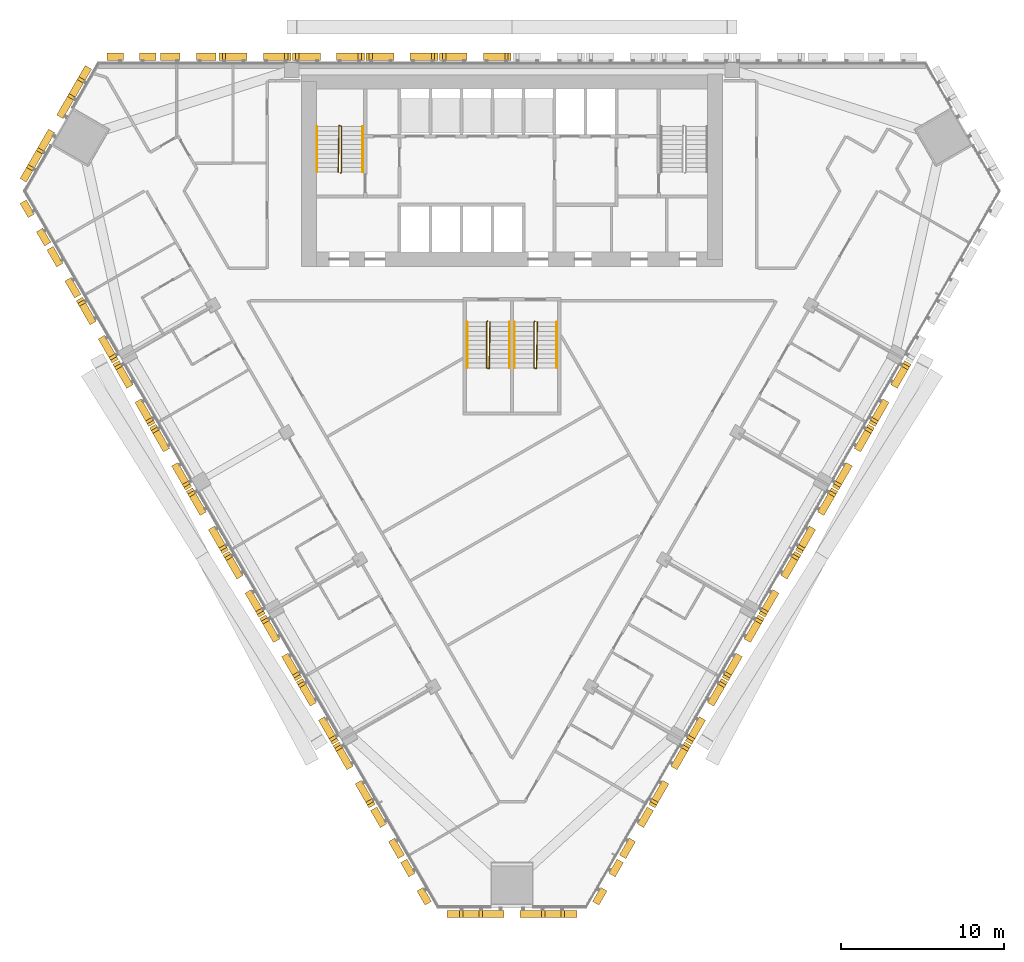
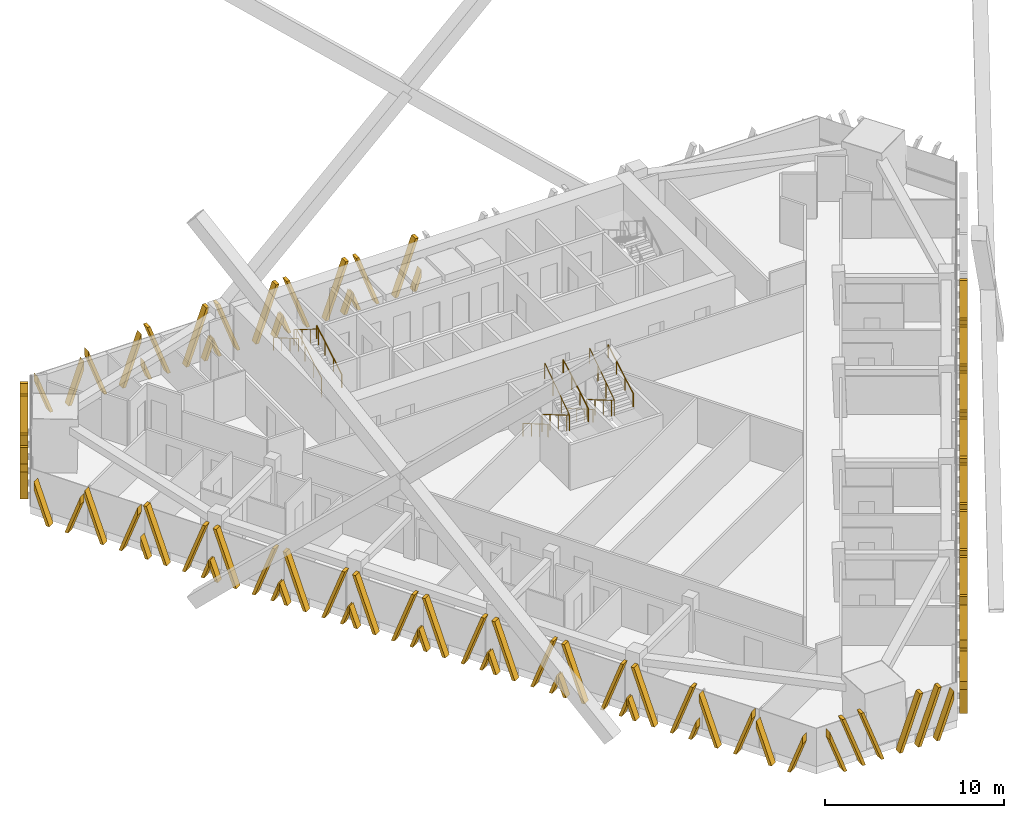
# One storey, part 17 of 19: 29 shading devices, 9 railings.
"""IFC4 building model written with IfcOpenShell, lengths in metres."""

from ifc_helpers import new_model, si_unit, direction, frame, origin, origin_2d, place, context, subcontext, project, spatial, polyline, circle, outline, extrude, source, transform, mapped, material, type_object, element, save


model = new_model("IFC4")

# Units and contexts
model_context = context("Model", 3, precision=1e-05, world=origin(), true_north=direction((0.0, 1.0)))
body_context = subcontext(model_context, "Body", "Model", "MODEL_VIEW")
ifc_project = project(units=[si_unit("LENGTHUNIT", "METRE"), si_unit("AREAUNIT", "SQUARE_METRE"), si_unit("VOLUMEUNIT", "CUBIC_METRE"), si_unit("PLANEANGLEUNIT", "RADIAN"), si_unit("MASSUNIT", "GRAM", prefix="KILO")], contexts=[model_context])

# Site, building, storey
site_placement = place(None, origin())
site = spatial("IfcSite", under=ifc_project, at=site_placement, CompositionType="ELEMENT")
building_placement = place(site_placement, origin())
building = spatial("IfcBuilding", under=site, at=building_placement, Name="Altiplano Prism Tower", CompositionType="ELEMENT")
storey_placement = place(building_placement, frame((0.0, 0.0, 70.199951171875)))
storey = spatial("IfcBuildingStorey", under=building, at=storey_placement, Name="L17", CompositionType="ELEMENT", Elevation=70.199951171875)

# Railings
ifc_material_1 = material(Name="Steel S355", Category="steel")
railing_type_1 = type_object("IfcRailingType", Name="Stair guard 1100", PredefinedType="GUARDRAIL", material=ifc_material_1)
railing_1_placement = place(storey_placement, frame((74.5, 98.25, 0.0)))
element("IfcRailing", 1, at=railing_1_placement, inside=storey, type_object=railing_type_1, Name="L17 ST1 stair guard 1", PredefinedType="GUARDRAIL", context=body_context, shape_type="SweptSolid", body=[
    extrude(circle(Radius=0.02392578125, at=origin_2d()), frame((0.0, 0.0, 1.076171875), z_axis=(0.280808744504, 0.280808744504, 0.917765164963), x_axis=(-0.707106781187, 0.707106781187, 0.0)), (0.0, 0.0, 1.0), 0.17822265625),
    extrude(circle(Radius=0.02392578125, at=origin_2d()), frame((0.050048828125, 0.050048828125, 1.23974609375), z_axis=(0.0, 0.863360870873, 0.504586966384), x_axis=(-1.0, 0.0, 0.0)), (0.0, 0.0, 1.0), 3.2431640625),
    extrude(circle(Radius=0.02392578125, at=origin_2d()), frame((0.050048828125, 2.85009765625, 2.8759765625), z_axis=(-0.949145278916, 0.314838433982, 0.0), x_axis=(-0.314838433982, -0.949145278916, 0.0)), (0.0, 0.0, 1.0), 0.158203125),
    extrude(circle(Radius=0.02392578125, at=origin_2d()), frame((-0.10009765625, 2.89990234375, 2.8759765625), z_axis=(-0.01477401265, -0.845377694409, 0.533964682676), x_axis=(0.999847325713, -0.01747355902, 0.0)), (0.0, 0.0, 1.0), 3.37109375),
    extrude(circle(Radius=0.02099609375, at=origin_2d()), origin(), (0.0, 0.0, 1.0), 1.052001953125),
    extrude(circle(Radius=0.02099609375, at=origin_2d()), frame((0.050048828125, 0.050048828125, 0.16357421875)), (0.0, 0.0, 1.0), 1.052001953125),
    extrude(circle(Radius=0.02099609375, at=origin_2d()), frame((0.050048828125, 0.9833984375, 0.708984375)), (0.0, 0.0, 1.0), 1.052001953125),
    extrude(circle(Radius=0.02099609375, at=origin_2d()), frame((0.050048828125, 1.916748046875, 1.254638671875)), (0.0, 0.0, 1.0), 1.052001953125),
    extrude(circle(Radius=0.02099609375, at=origin_2d()), frame((0.050048828125, 2.85009765625, 1.800048828125)), (0.0, 0.0, 1.0), 1.052001953125),
    extrude(circle(Radius=0.02099609375, at=origin_2d()), frame((-0.10009765625, 2.89990234375, 1.800048828125)), (0.0, 0.0, 1.0), 1.052001953125),
    extrude(circle(Radius=0.02099609375, at=origin_2d()), frame((-0.11669921875, 1.949951171875, 2.400146484375)), (0.0, 0.0, 1.0), 1.052001953125),
    extrude(circle(Radius=0.02099609375, at=origin_2d()), frame((-0.13330078125, 1.0, 3.0)), (0.0, 0.0, 1.0), 1.052001953125),
    extrude(circle(Radius=0.02099609375, at=origin_2d()), frame((-0.14990234375, 0.050048828125, 3.60009765625)), (0.0, 0.0, 1.0), 1.052001953125),
])
railing_2_placement = place(storey_placement, frame((83.5, 89.14990234375, 0.0)))
element("IfcRailing", 2, at=railing_2_placement, inside=storey, type_object=railing_type_1, Name="L17 ST3A stair guard 1", PredefinedType="GUARDRAIL", context=body_context, shape_type="SweptSolid", body=[
    extrude(circle(Radius=0.02392578125, at=origin_2d()), frame((0.0, 0.0, 1.076171875), z_axis=(-0.280916556609, -0.279546231943, 0.91811752648), x_axis=(0.705375805398, -0.708833529934, 0.0)), (0.0, 0.0, 1.0), 0.17822265625),
    extrude(circle(Radius=0.02392578125, at=origin_2d()), frame((-0.050048828125, -0.0498046875, 1.23974609375), z_axis=(0.0, -0.863360870873, 0.504586966384), x_axis=(1.0, 0.0, 0.0)), (0.0, 0.0, 1.0), 3.2431640625),
    extrude(circle(Radius=0.02392578125, at=origin_2d()), frame((-0.050048828125, -2.849853515625, 2.8759765625), z_axis=(0.948683298051, -0.316227766017, 0.0), x_axis=(0.316227766017, 0.948683298051, 0.0)), (0.0, 0.0, 1.0), 0.158203125),
    extrude(circle(Radius=0.02392578125, at=origin_2d()), frame((0.10009765625, -2.89990234375, 2.8759765625), z_axis=(0.014773108175, 0.84539835705, 0.533931993021), x_axis=(-0.999847351862, 0.017472062685, 0.0)), (0.0, 0.0, 1.0), 3.371337890625),
    extrude(circle(Radius=0.02099609375, at=origin_2d()), origin(), (0.0, 0.0, 1.0), 1.052001953125),
    extrude(circle(Radius=0.02099609375, at=origin_2d()), frame((-0.050048828125, -0.0498046875, 0.16357421875)), (0.0, 0.0, 1.0), 1.052001953125),
    extrude(circle(Radius=0.02099609375, at=origin_2d()), frame((-0.050048828125, -0.983154296875, 0.708984375)), (0.0, 0.0, 1.0), 1.052001953125),
    extrude(circle(Radius=0.02099609375, at=origin_2d()), frame((-0.050048828125, -1.91650390625, 1.254638671875)), (0.0, 0.0, 1.0), 1.052001953125),
    extrude(circle(Radius=0.02099609375, at=origin_2d()), frame((-0.050048828125, -2.849853515625, 1.800048828125)), (0.0, 0.0, 1.0), 1.052001953125),
    extrude(circle(Radius=0.02099609375, at=origin_2d()), frame((0.10009765625, -2.89990234375, 1.800048828125)), (0.0, 0.0, 1.0), 1.052001953125),
    extrude(circle(Radius=0.02099609375, at=origin_2d()), frame((0.11669921875, -1.949951171875, 2.400146484375)), (0.0, 0.0, 1.0), 1.052001953125),
    extrude(circle(Radius=0.02099609375, at=origin_2d()), frame((0.13330078125, -0.999755859375, 3.0)), (0.0, 0.0, 1.0), 1.052001953125),
    extrude(circle(Radius=0.02099609375, at=origin_2d()), frame((0.14990234375, -0.0498046875, 3.60009765625)), (0.0, 0.0, 1.0), 1.052001953125),
])
railing_3_placement = place(storey_placement, frame((86.39990234375, 89.14990234375, 0.0)))
element("IfcRailing", 3, at=railing_3_placement, inside=storey, type_object=railing_type_1, Name="L17 ST3B stair guard 1", PredefinedType="GUARDRAIL", context=body_context, shape_type="SweptSolid", body=[
    extrude(circle(Radius=0.02392578125, at=origin_2d()), frame((0.0, 0.0, 1.076171875), z_axis=(-0.279653641804, -0.279653641804, 0.918470294159), x_axis=(0.707106781187, -0.707106781187, 0.0)), (0.0, 0.0, 1.0), 0.177978515625),
    extrude(circle(Radius=0.02392578125, at=origin_2d()), frame((-0.0498046875, -0.0498046875, 1.23974609375), z_axis=(0.0, -0.863360870873, 0.504586966384), x_axis=(1.0, 0.0, 0.0)), (0.0, 0.0, 1.0), 3.2431640625),
    extrude(circle(Radius=0.02392578125, at=origin_2d()), frame((-0.0498046875, -2.849853515625, 2.8759765625), z_axis=(0.948528701346, -0.316691178788, 0.0), x_axis=(0.316691178788, 0.948528701346, 0.0)), (0.0, 0.0, 1.0), 0.157958984375),
    extrude(circle(Radius=0.02392578125, at=origin_2d()), frame((0.10009765625, -2.89990234375, 2.8759765625), z_axis=(0.014845509451, 0.845397450405, 0.533931420407), x_axis=(-0.999845851991, 0.017557683712, 0.0)), (0.0, 0.0, 1.0), 3.371337890625),
    extrude(circle(Radius=0.02099609375, at=origin_2d()), origin(), (0.0, 0.0, 1.0), 1.052001953125),
    extrude(circle(Radius=0.02099609375, at=origin_2d()), frame((-0.0498046875, -0.0498046875, 0.16357421875)), (0.0, 0.0, 1.0), 1.052001953125),
    extrude(circle(Radius=0.02099609375, at=origin_2d()), frame((-0.0498046875, -0.983154296875, 0.708984375)), (0.0, 0.0, 1.0), 1.052001953125),
    extrude(circle(Radius=0.02099609375, at=origin_2d()), frame((-0.0498046875, -1.91650390625, 1.254638671875)), (0.0, 0.0, 1.0), 1.052001953125),
    extrude(circle(Radius=0.02099609375, at=origin_2d()), frame((-0.0498046875, -2.849853515625, 1.800048828125)), (0.0, 0.0, 1.0), 1.052001953125),
    extrude(circle(Radius=0.02099609375, at=origin_2d()), frame((0.10009765625, -2.89990234375, 1.800048828125)), (0.0, 0.0, 1.0), 1.052001953125),
    extrude(circle(Radius=0.02099609375, at=origin_2d()), frame((0.11669921875, -1.949951171875, 2.400146484375)), (0.0, 0.0, 1.0), 1.052001953125),
    extrude(circle(Radius=0.02099609375, at=origin_2d()), frame((0.133544921875, -0.999755859375, 3.0)), (0.0, 0.0, 1.0), 1.052001953125),
    extrude(circle(Radius=0.02099609375, at=origin_2d()), frame((0.150146484375, -0.0498046875, 3.60009765625)), (0.0, 0.0, 1.0), 1.052001953125),
])
railing_type_2 = type_object("IfcRailingType", Name="Stair handrail 900", PredefinedType="HANDRAIL", material=ifc_material_1)
railing_4_placement = place(storey_placement, frame((75.85009765625, 98.300048828125, 0.16357421875)))
element("IfcRailing", 4, at=railing_4_placement, inside=storey, type_object=railing_type_2, Name="L17 ST1 stair handrail 1", PredefinedType="HANDRAIL", context=body_context, shape_type="SweptSolid", body=[
    extrude(circle(Radius=0.02392578125, at=origin_2d()), frame((0.0, 0.0, 0.8759765625), z_axis=(0.0, 0.863360870873, 0.504586966384), x_axis=(-1.0, 0.0, 0.0)), (0.0, 0.0, 1.0), 3.2431640625),
    extrude(circle(Radius=0.02099609375, at=origin_2d()), origin(), (0.0, 0.0, 1.0), 0.851806640625),
    extrude(circle(Radius=0.02099609375, at=origin_2d()), frame((0.0, 0.933349609375, 0.54541015625)), (0.0, 0.0, 1.0), 0.851806640625),
    extrude(circle(Radius=0.02099609375, at=origin_2d()), frame((0.0, 1.86669921875, 1.091064453125)), (0.0, 0.0, 1.0), 0.851806640625),
    extrude(circle(Radius=0.02099609375, at=origin_2d()), frame((0.0, 2.800048828125, 1.636474609375)), (0.0, 0.0, 1.0), 0.851806640625),
])
for number, where, name in (
    (5, (73.050048828125, 101.10009765625, 1.963623046875), "L17 ST1 stair handrail 2"),
    (6, (82.25, 89.10009765625, 0.16357421875), "L17 ST3A stair handrail 1"),
):
    element("IfcRailing", number, at=place(storey_placement, frame(where)), inside=storey, type_object=railing_type_2, Name=name, PredefinedType="HANDRAIL", context=body_context, shape_type="SweptSolid", body=[
        extrude(circle(Radius=0.02392578125, at=origin_2d()), frame((0.0, 0.0, 0.8759765625), z_axis=(0.0, -0.863360870873, 0.504586966384), x_axis=(1.0, 0.0, 0.0)), (0.0, 0.0, 1.0), 3.2431640625),
        extrude(circle(Radius=0.02099609375, at=origin_2d()), origin(), (0.0, 0.0, 1.0), 0.851806640625),
        extrude(circle(Radius=0.02099609375, at=origin_2d()), frame((0.0, -0.933349609375, 0.54541015625)), (0.0, 0.0, 1.0), 0.851806640625),
        extrude(circle(Radius=0.02099609375, at=origin_2d()), frame((0.0, -1.86669921875, 1.091064453125)), (0.0, 0.0, 1.0), 0.851806640625),
        extrude(circle(Radius=0.02099609375, at=origin_2d()), frame((0.0, -2.800048828125, 1.636474609375)), (0.0, 0.0, 1.0), 0.851806640625),
    ])
railing_5_placement = place(storey_placement, frame((84.85009765625, 86.300048828125, 1.963623046875)))
element("IfcRailing", 7, at=railing_5_placement, inside=storey, type_object=railing_type_2, Name="L17 ST3A stair handrail 2", PredefinedType="HANDRAIL", context=body_context, shape_type="SweptSolid", body=[
    extrude(circle(Radius=0.02392578125, at=origin_2d()), frame((0.0, 0.0, 0.8759765625), z_axis=(0.0, 0.863360870873, 0.504586966384), x_axis=(-1.0, 0.0, 0.0)), (0.0, 0.0, 1.0), 3.2431640625),
    extrude(circle(Radius=0.02099609375, at=origin_2d()), origin(), (0.0, 0.0, 1.0), 0.851806640625),
    extrude(circle(Radius=0.02099609375, at=origin_2d()), frame((0.0, 0.933349609375, 0.54541015625)), (0.0, 0.0, 1.0), 0.851806640625),
    extrude(circle(Radius=0.02099609375, at=origin_2d()), frame((0.0, 1.86669921875, 1.091064453125)), (0.0, 0.0, 1.0), 0.851806640625),
    extrude(circle(Radius=0.02099609375, at=origin_2d()), frame((0.0, 2.800048828125, 1.636474609375)), (0.0, 0.0, 1.0), 0.851806640625),
])
railing_6_placement = place(storey_placement, frame((85.14990234375, 89.10009765625, 0.16357421875)))
element("IfcRailing", 8, at=railing_6_placement, inside=storey, type_object=railing_type_2, Name="L17 ST3B stair handrail 1", PredefinedType="HANDRAIL", context=body_context, shape_type="SweptSolid", body=[
    extrude(circle(Radius=0.02392578125, at=origin_2d()), frame((0.0, 0.0, 0.8759765625), z_axis=(0.0, -0.863360870873, 0.504586966384), x_axis=(1.0, 0.0, 0.0)), (0.0, 0.0, 1.0), 3.2431640625),
    extrude(circle(Radius=0.02099609375, at=origin_2d()), origin(), (0.0, 0.0, 1.0), 0.851806640625),
    extrude(circle(Radius=0.02099609375, at=origin_2d()), frame((0.0, -0.933349609375, 0.54541015625)), (0.0, 0.0, 1.0), 0.851806640625),
    extrude(circle(Radius=0.02099609375, at=origin_2d()), frame((0.0, -1.86669921875, 1.091064453125)), (0.0, 0.0, 1.0), 0.851806640625),
    extrude(circle(Radius=0.02099609375, at=origin_2d()), frame((0.0, -2.800048828125, 1.636474609375)), (0.0, 0.0, 1.0), 0.851806640625),
])
railing_7_placement = place(storey_placement, frame((87.75, 86.300048828125, 1.963623046875)))
element("IfcRailing", 9, at=railing_7_placement, inside=storey, type_object=railing_type_2, Name="L17 ST3B stair handrail 2", PredefinedType="HANDRAIL", context=body_context, shape_type="SweptSolid", body=[
    extrude(circle(Radius=0.02392578125, at=origin_2d()), frame((0.0, 0.0, 0.8759765625), z_axis=(0.0, 0.863360870873, 0.504586966384), x_axis=(-1.0, 0.0, 0.0)), (0.0, 0.0, 1.0), 3.2431640625),
    extrude(circle(Radius=0.02099609375, at=origin_2d()), origin(), (0.0, 0.0, 1.0), 0.851806640625),
    extrude(circle(Radius=0.02099609375, at=origin_2d()), frame((0.0, 0.933349609375, 0.54541015625)), (0.0, 0.0, 1.0), 0.851806640625),
    extrude(circle(Radius=0.02099609375, at=origin_2d()), frame((0.0, 1.86669921875, 1.091064453125)), (0.0, 0.0, 1.0), 0.851806640625),
    extrude(circle(Radius=0.02099609375, at=origin_2d()), frame((0.0, 2.800048828125, 1.636474609375)), (0.0, 0.0, 1.0), 0.851806640625),
])

# Shading devices
ifc_material_2 = material(Name="Warm limestone cast stone", Category="masonry")
shading_device_type_1 = type_object("IfcShadingDeviceType", Name="Stone fin panel, standard unit", PredefinedType="USERDEFINED", material=ifc_material_2)
shared_shape_1 = source(origin(), body_context, "Body", "SweptSolid", [
    extrude(outline(polyline([(-2.199951171875, 1.373779296875), (-2.199951171875, 0.82421875), (-1.89990234375, 0.0), (-1.699951171875, 0.0), (-2.199951171875, 1.373779296875)])), frame((0.0, -0.14990234375, 0.0), z_axis=(0.0, -1.0, 0.0), x_axis=(1.0, 0.0, 0.0)), (0.0, 0.0, 1.0), 0.4501953125),
    extrude(outline(polyline([(-2.01025390625, 3.60009765625), (-0.699951171875, 0.0), (-0.5, 0.0), (-1.810302734375, 3.60009765625), (-2.01025390625, 3.60009765625)])), frame((0.0, -0.14990234375, 0.0), z_axis=(0.0, -1.0, 0.0), x_axis=(1.0, 0.0, 0.0)), (0.0, 0.0, 1.0), 0.4501953125),
    extrude(outline(polyline([(1.810302734375, 3.60009765625), (0.5, 0.0), (0.699951171875, 0.0), (2.01025390625, 3.60009765625), (1.810302734375, 3.60009765625)])), frame((0.0, -0.14990234375, 0.0), z_axis=(0.0, -1.0, 0.0), x_axis=(1.0, 0.0, 0.0)), (0.0, 0.0, 1.0), 0.4501953125),
    extrude(outline(polyline([(2.199951171875, 0.82421875), (2.199951171875, 1.373779296875), (1.699951171875, 0.0), (1.89990234375, 0.0), (2.199951171875, 0.82421875)])), frame((0.0, -0.14990234375, 0.0), z_axis=(0.0, -1.0, 0.0), x_axis=(1.0, 0.0, 0.0)), (0.0, 0.0, 1.0), 0.4501953125),
])
shading_device_1_placement = place(storey_placement, origin())
element("IfcShadingDevice", 10, at=shading_device_1_placement, inside=storey, type_object=shading_device_type_1, Name="Fin L17 north face 7", ObjectType="FIN", PredefinedType="USERDEFINED", context=body_context, shape_type="MappedRepresentation", body=[
    mapped(shared_shape_1, transform((82.75, 105.0, -0.5), x_axis=(-1.0, 0.0, 0.0), y_axis=(0.0, -1.0, 0.0), z_axis=(0.0, 0.0, 1.0))),
])
shading_device_2_placement = place(storey_placement, origin())
element("IfcShadingDevice", 11, at=shading_device_2_placement, inside=storey, type_object=shading_device_type_1, Name="Fin L17 north face 8", ObjectType="FIN", PredefinedType="USERDEFINED", context=body_context, shape_type="MappedRepresentation", body=[
    mapped(shared_shape_1, transform((78.25, 105.0, -0.5), x_axis=(-1.0, 0.0, 0.0), y_axis=(0.0, -1.0, 0.0), z_axis=(0.0, 0.0, 1.0))),
])
shading_device_3_placement = place(storey_placement, origin())
element("IfcShadingDevice", 12, at=shading_device_3_placement, inside=storey, type_object=shading_device_type_1, Name="Fin L17 north face 9", ObjectType="FIN", PredefinedType="USERDEFINED", context=body_context, shape_type="MappedRepresentation", body=[
    mapped(shared_shape_1, transform((73.75, 105.0, -0.5), x_axis=(-1.0, 0.0, 0.0), y_axis=(0.0, -1.0, 0.0), z_axis=(0.0, 0.0, 1.0))),
])
shading_device_4_placement = place(storey_placement, origin())
element("IfcShadingDevice", 13, at=shading_device_4_placement, inside=storey, type_object=shading_device_type_1, Name="Fin L17 north face 10", ObjectType="FIN", PredefinedType="USERDEFINED", context=body_context, shape_type="MappedRepresentation", body=[
    mapped(shared_shape_1, transform((69.25, 105.0, -0.5), x_axis=(-1.0, 0.0, 0.0), y_axis=(0.0, -1.0, 0.0), z_axis=(0.0, 0.0, 1.0))),
])
shading_device_5_placement = place(storey_placement, origin())
element("IfcShadingDevice", 14, at=shading_device_5_placement, inside=storey, type_object=shading_device_type_1, Name="Fin L17 south-west face 3", ObjectType="FIN", PredefinedType="USERDEFINED", context=body_context, shape_type="MappedRepresentation", body=[
    mapped(shared_shape_1, transform((59.8984375, 88.802490234375, -0.5), x_axis=(0.50000000109, -0.866025403155, 0.0), y_axis=(0.866025403155, 0.50000000109, 0.0), z_axis=(0.0, 0.0, 1.0))),
])
shading_device_6_placement = place(storey_placement, origin())
element("IfcShadingDevice", 15, at=shading_device_6_placement, inside=storey, type_object=shading_device_type_1, Name="Fin L17 south-west face 4", ObjectType="FIN", PredefinedType="USERDEFINED", context=body_context, shape_type="MappedRepresentation", body=[
    mapped(shared_shape_1, transform((62.1484375, 84.9052734375, -0.5), x_axis=(0.50000000109, -0.866025403155, 0.0), y_axis=(0.866025403155, 0.50000000109, 0.0), z_axis=(0.0, 0.0, 1.0))),
])
shading_device_7_placement = place(storey_placement, origin())
element("IfcShadingDevice", 16, at=shading_device_7_placement, inside=storey, type_object=shading_device_type_1, Name="Fin L17 south-west face 5", ObjectType="FIN", PredefinedType="USERDEFINED", context=body_context, shape_type="MappedRepresentation", body=[
    mapped(shared_shape_1, transform((64.3984375, 81.00830078125, -0.5), x_axis=(0.50000000109, -0.866025403155, 0.0), y_axis=(0.866025403155, 0.50000000109, 0.0), z_axis=(0.0, 0.0, 1.0))),
])
shading_device_8_placement = place(storey_placement, origin())
element("IfcShadingDevice", 17, at=shading_device_8_placement, inside=storey, type_object=shading_device_type_1, Name="Fin L17 south-west face 6", ObjectType="FIN", PredefinedType="USERDEFINED", context=body_context, shape_type="MappedRepresentation", body=[
    mapped(shared_shape_1, transform((66.6484375, 77.111083984375, -0.5), x_axis=(0.50000000109, -0.866025403155, 0.0), y_axis=(0.866025403155, 0.50000000109, 0.0), z_axis=(0.0, 0.0, 1.0))),
])
shading_device_9_placement = place(storey_placement, origin())
element("IfcShadingDevice", 18, at=shading_device_9_placement, inside=storey, type_object=shading_device_type_1, Name="Fin L17 south-west face 7", ObjectType="FIN", PredefinedType="USERDEFINED", context=body_context, shape_type="MappedRepresentation", body=[
    mapped(shared_shape_1, transform((68.8984375, 73.214111328125, -0.5), x_axis=(0.50000000109, -0.866025403155, 0.0), y_axis=(0.866025403155, 0.50000000109, 0.0), z_axis=(0.0, 0.0, 1.0))),
])
shading_device_10_placement = place(storey_placement, origin())
element("IfcShadingDevice", 19, at=shading_device_10_placement, inside=storey, type_object=shading_device_type_1, Name="Fin L17 south-west face 8", ObjectType="FIN", PredefinedType="USERDEFINED", context=body_context, shape_type="MappedRepresentation", body=[
    mapped(shared_shape_1, transform((71.1484375, 69.31689453125, -0.5), x_axis=(0.50000000109, -0.866025403155, 0.0), y_axis=(0.866025403155, 0.50000000109, 0.0), z_axis=(0.0, 0.0, 1.0))),
])
shading_device_11_placement = place(storey_placement, origin())
element("IfcShadingDevice", 20, at=shading_device_11_placement, inside=storey, type_object=shading_device_type_1, Name="Fin L17 south-west face 9", ObjectType="FIN", PredefinedType="USERDEFINED", context=body_context, shape_type="MappedRepresentation", body=[
    mapped(shared_shape_1, transform((73.3984375, 65.419677734375, -0.5), x_axis=(0.50000000109, -0.866025403155, 0.0), y_axis=(0.866025403155, 0.50000000109, 0.0), z_axis=(0.0, 0.0, 1.0))),
])
shading_device_12_placement = place(storey_placement, origin())
element("IfcShadingDevice", 21, at=shading_device_12_placement, inside=storey, type_object=shading_device_type_1, Name="Fin L17 south-west face 10", ObjectType="FIN", PredefinedType="USERDEFINED", context=body_context, shape_type="MappedRepresentation", body=[
    mapped(shared_shape_1, transform((75.6484375, 61.522705078125, -0.5), x_axis=(0.50000000109, -0.866025403155, 0.0), y_axis=(0.866025403155, 0.50000000109, 0.0), z_axis=(0.0, 0.0, 1.0))),
])
shading_device_13_placement = place(storey_placement, origin())
element("IfcShadingDevice", 22, at=shading_device_13_placement, inside=storey, type_object=shading_device_type_1, Name="Fin L17 south-east face 3", ObjectType="FIN", PredefinedType="USERDEFINED", context=body_context, shape_type="MappedRepresentation", body=[
    mapped(shared_shape_1, transform((94.3515625, 61.522705078125, -0.5), x_axis=(0.50000000109, 0.866025403155, 0.0), y_axis=(-0.866025403155, 0.50000000109, 0.0), z_axis=(0.0, 0.0, 1.0))),
])
shading_device_14_placement = place(storey_placement, origin())
element("IfcShadingDevice", 23, at=shading_device_14_placement, inside=storey, type_object=shading_device_type_1, Name="Fin L17 south-east face 4", ObjectType="FIN", PredefinedType="USERDEFINED", context=body_context, shape_type="MappedRepresentation", body=[
    mapped(shared_shape_1, transform((96.6015625, 65.419677734375, -0.5), x_axis=(0.50000000109, 0.866025403155, 0.0), y_axis=(-0.866025403155, 0.50000000109, 0.0), z_axis=(0.0, 0.0, 1.0))),
])
shading_device_15_placement = place(storey_placement, origin())
element("IfcShadingDevice", 24, at=shading_device_15_placement, inside=storey, type_object=shading_device_type_1, Name="Fin L17 south-east face 5", ObjectType="FIN", PredefinedType="USERDEFINED", context=body_context, shape_type="MappedRepresentation", body=[
    mapped(shared_shape_1, transform((98.8515625, 69.31689453125, -0.5), x_axis=(0.50000000109, 0.866025403155, 0.0), y_axis=(-0.866025403155, 0.50000000109, 0.0), z_axis=(0.0, 0.0, 1.0))),
])
shading_device_16_placement = place(storey_placement, origin())
element("IfcShadingDevice", 25, at=shading_device_16_placement, inside=storey, type_object=shading_device_type_1, Name="Fin L17 south-east face 6", ObjectType="FIN", PredefinedType="USERDEFINED", context=body_context, shape_type="MappedRepresentation", body=[
    mapped(shared_shape_1, transform((101.1015625, 73.214111328125, -0.5), x_axis=(0.50000000109, 0.866025403155, 0.0), y_axis=(-0.866025403155, 0.50000000109, 0.0), z_axis=(0.0, 0.0, 1.0))),
])
shading_device_17_placement = place(storey_placement, origin())
element("IfcShadingDevice", 26, at=shading_device_17_placement, inside=storey, type_object=shading_device_type_1, Name="Fin L17 south-east face 7", ObjectType="FIN", PredefinedType="USERDEFINED", context=body_context, shape_type="MappedRepresentation", body=[
    mapped(shared_shape_1, transform((103.3515625, 77.111083984375, -0.5), x_axis=(0.50000000109, 0.866025403155, 0.0), y_axis=(-0.866025403155, 0.50000000109, 0.0), z_axis=(0.0, 0.0, 1.0))),
])
shading_device_18_placement = place(storey_placement, origin())
element("IfcShadingDevice", 27, at=shading_device_18_placement, inside=storey, type_object=shading_device_type_1, Name="Fin L17 south-east face 8", ObjectType="FIN", PredefinedType="USERDEFINED", context=body_context, shape_type="MappedRepresentation", body=[
    mapped(shared_shape_1, transform((105.6015625, 81.00830078125, -0.5), x_axis=(0.50000000109, 0.866025403155, 0.0), y_axis=(-0.866025403155, 0.50000000109, 0.0), z_axis=(0.0, 0.0, 1.0))),
])
shading_device_19_placement = place(storey_placement, origin())
element("IfcShadingDevice", 28, at=shading_device_19_placement, inside=storey, type_object=shading_device_type_1, Name="Fin L17 south-east face 9", ObjectType="FIN", PredefinedType="USERDEFINED", context=body_context, shape_type="MappedRepresentation", body=[
    mapped(shared_shape_1, transform((107.8515625, 84.9052734375, -0.5), x_axis=(0.50000000109, 0.866025403155, 0.0), y_axis=(-0.866025403155, 0.50000000109, 0.0), z_axis=(0.0, 0.0, 1.0))),
])
shading_device_type_2 = type_object("IfcShadingDeviceType", Name="Stone fin panel, narrow closing bay", PredefinedType="USERDEFINED", material=ifc_material_2)
shared_shape_2 = source(origin(), body_context, "Body", "SweptSolid", [
    extrude(outline(polyline([(-1.699951171875, 3.297119140625), (-1.699951171875, 2.74755859375), (-0.699951171875, 0.0), (-0.5, 0.0), (-1.699951171875, 3.297119140625)])), frame((0.0, -0.14990234375, 0.0), z_axis=(0.0, -1.0, 0.0), x_axis=(1.0, 0.0, 0.0)), (0.0, 0.0, 1.0), 0.4501953125),
    extrude(outline(polyline([(1.699951171875, 2.74755859375), (1.699951171875, 3.297119140625), (0.5, 0.0), (0.699951171875, 0.0), (1.699951171875, 2.74755859375)])), frame((0.0, -0.14990234375, 0.0), z_axis=(0.0, -1.0, 0.0), x_axis=(1.0, 0.0, 0.0)), (0.0, 0.0, 1.0), 0.4501953125),
])
shading_device_20_placement = place(storey_placement, origin())
element("IfcShadingDevice", 29, at=shading_device_20_placement, inside=storey, type_object=shading_device_type_2, Name="Fin L17 north face 11", ObjectType="FIN", PredefinedType="USERDEFINED", context=body_context, shape_type="MappedRepresentation", body=[
    mapped(shared_shape_2, transform((65.15576171875, 105.0, -0.5), x_axis=(-1.0, 0.0, 0.0), y_axis=(0.0, -1.0, 0.0), z_axis=(0.0, 0.0, 1.0))),
])
shading_device_21_placement = place(storey_placement, origin())
element("IfcShadingDevice", 30, at=shading_device_21_placement, inside=storey, type_object=shading_device_type_2, Name="Fin L17 south-west face 2", ObjectType="FIN", PredefinedType="USERDEFINED", context=body_context, shape_type="MappedRepresentation", body=[
    mapped(shared_shape_2, transform((57.851318359375, 92.34814453125, -0.5), x_axis=(0.50000000109, -0.866025403155, 0.0), y_axis=(0.866025403155, 0.50000000109, 0.0), z_axis=(0.0, 0.0, 1.0))),
])
shading_device_22_placement = place(storey_placement, origin())
element("IfcShadingDevice", 31, at=shading_device_22_placement, inside=storey, type_object=shading_device_type_2, Name="Fin L17 south-west face 11", ObjectType="FIN", PredefinedType="USERDEFINED", context=body_context, shape_type="MappedRepresentation", body=[
    mapped(shared_shape_2, transform((77.695556640625, 57.97705078125, -0.5), x_axis=(0.50000000109, -0.866025403155, 0.0), y_axis=(0.866025403155, 0.50000000109, 0.0), z_axis=(0.0, 0.0, 1.0))),
])
shading_device_23_placement = place(storey_placement, origin())
element("IfcShadingDevice", 32, at=shading_device_23_placement, inside=storey, type_object=shading_device_type_2, Name="Fin L17 south-east face 2", ObjectType="FIN", PredefinedType="USERDEFINED", context=body_context, shape_type="MappedRepresentation", body=[
    mapped(shared_shape_2, transform((92.304443359375, 57.97705078125, -0.5), x_axis=(0.50000000109, 0.866025403155, 0.0), y_axis=(-0.866025403155, 0.50000000109, 0.0), z_axis=(0.0, 0.0, 1.0))),
])
shared_shape_3 = source(origin(), body_context, "Body", "SweptSolid", [
    extrude(outline(polyline([(-1.5, 2.74755859375), (-1.5, 2.197998046875), (-0.699951171875, 0.0), (-0.5, 0.0), (-1.5, 2.74755859375)])), frame((0.0, -0.14990234375, 0.0), z_axis=(0.0, -1.0, 0.0), x_axis=(1.0, 0.0, 0.0)), (0.0, 0.0, 1.0), 0.4501953125),
    extrude(outline(polyline([(1.5, 2.197998046875), (1.5, 2.74755859375), (0.5, 0.0), (0.699951171875, 0.0), (1.5, 2.197998046875)])), frame((0.0, -0.14990234375, 0.0), z_axis=(0.0, -1.0, 0.0), x_axis=(1.0, 0.0, 0.0)), (0.0, 0.0, 1.0), 0.4501953125),
])
shading_device_24_placement = place(storey_placement, origin())
element("IfcShadingDevice", 33, at=shading_device_24_placement, inside=storey, type_object=shading_device_type_2, Name="Fin L17 north face 12", ObjectType="FIN", PredefinedType="USERDEFINED", context=body_context, shape_type="MappedRepresentation", body=[
    mapped(shared_shape_3, transform((61.667236328125, 105.0, -0.5), x_axis=(-1.0, 0.0, 0.0), y_axis=(0.0, -1.0, 0.0), z_axis=(0.0, 0.0, 1.0))),
])
shading_device_25_placement = place(storey_placement, origin())
element("IfcShadingDevice", 34, at=shading_device_25_placement, inside=storey, type_object=shading_device_type_2, Name="Fin L17 south-west face 1", ObjectType="FIN", PredefinedType="USERDEFINED", context=body_context, shape_type="MappedRepresentation", body=[
    mapped(shared_shape_3, transform((56.10693359375, 95.369384765625, -0.5), x_axis=(0.50000000109, -0.866025403155, 0.0), y_axis=(0.866025403155, 0.50000000109, 0.0), z_axis=(0.0, 0.0, 1.0))),
])
shading_device_26_placement = place(storey_placement, origin())
element("IfcShadingDevice", 35, at=shading_device_26_placement, inside=storey, type_object=shading_device_type_2, Name="Fin L17 south-west face 12", ObjectType="FIN", PredefinedType="USERDEFINED", context=body_context, shape_type="MappedRepresentation", body=[
    mapped(shared_shape_3, transform((79.439697265625, 54.955810546875, -0.5), x_axis=(0.50000000109, -0.866025403155, 0.0), y_axis=(0.866025403155, 0.50000000109, 0.0), z_axis=(0.0, 0.0, 1.0))),
])
shading_device_27_placement = place(storey_placement, origin())
element("IfcShadingDevice", 36, at=shading_device_27_placement, inside=storey, type_object=shading_device_type_2, Name="Fin L17 south-east face 1", ObjectType="FIN", PredefinedType="USERDEFINED", context=body_context, shape_type="MappedRepresentation", body=[
    mapped(shared_shape_3, transform((90.560302734375, 54.955810546875, -0.5), x_axis=(0.50000000109, 0.866025403155, 0.0), y_axis=(-0.866025403155, 0.50000000109, 0.0), z_axis=(0.0, 0.0, 1.0))),
])
shading_device_type_3 = type_object("IfcShadingDeviceType", Name="Stone fin panel, chamfer unit", PredefinedType="USERDEFINED", material=ifc_material_2)
shared_shape_4 = source(origin(), body_context, "Body", "SweptSolid", [
    extrude(outline(polyline([(-4.0, 3.022216796875), (-4.0, 2.47265625), (-3.10009765625, 0.0), (-2.89990234375, 0.0), (-4.0, 3.022216796875)])), frame((0.0, -0.14990234375, 0.0), z_axis=(0.0, -1.0, 0.0), x_axis=(1.0, 0.0, 0.0)), (0.0, 0.0, 1.0), 0.4501953125),
    extrude(outline(polyline([(-3.210205078125, 3.60009765625), (-1.89990234375, 0.0), (-1.699951171875, 0.0), (-3.01025390625, 3.60009765625), (-3.210205078125, 3.60009765625)])), frame((0.0, -0.14990234375, 0.0), z_axis=(0.0, -1.0, 0.0), x_axis=(1.0, 0.0, 0.0)), (0.0, 0.0, 1.0), 0.4501953125),
    extrude(outline(polyline([(-2.01025390625, 3.60009765625), (-0.699951171875, 0.0), (-0.5, 0.0), (-1.810302734375, 3.60009765625), (-2.01025390625, 3.60009765625)])), frame((0.0, -0.14990234375, 0.0), z_axis=(0.0, -1.0, 0.0), x_axis=(1.0, 0.0, 0.0)), (0.0, 0.0, 1.0), 0.4501953125),
    extrude(outline(polyline([(1.810302734375, 3.60009765625), (0.5, 0.0), (0.699951171875, 0.0), (2.01025390625, 3.60009765625), (1.810302734375, 3.60009765625)])), frame((0.0, -0.14990234375, 0.0), z_axis=(0.0, -1.0, 0.0), x_axis=(1.0, 0.0, 0.0)), (0.0, 0.0, 1.0), 0.4501953125),
    extrude(outline(polyline([(3.01025390625, 3.60009765625), (1.699951171875, 0.0), (1.89990234375, 0.0), (3.210205078125, 3.60009765625), (3.01025390625, 3.60009765625)])), frame((0.0, -0.14990234375, 0.0), z_axis=(0.0, -1.0, 0.0), x_axis=(1.0, 0.0, 0.0)), (0.0, 0.0, 1.0), 0.4501953125),
    extrude(outline(polyline([(4.0, 2.47265625), (4.0, 3.022216796875), (2.89990234375, 0.0), (3.10009765625, 0.0), (4.0, 2.47265625)])), frame((0.0, -0.14990234375, 0.0), z_axis=(0.0, -1.0, 0.0), x_axis=(1.0, 0.0, 0.0)), (0.0, 0.0, 1.0), 0.4501953125),
])
shading_device_28_placement = place(storey_placement, origin())
element("IfcShadingDevice", 37, at=shading_device_28_placement, inside=storey, type_object=shading_device_type_3, Name="Fin L17 north-west chamfer 1", ObjectType="FIN", PredefinedType="USERDEFINED", context=body_context, shape_type="MappedRepresentation", body=[
    mapped(shared_shape_4, transform((57.35400390625, 101.06982421875, -0.5), x_axis=(-0.500000015804, -0.86602539466, 0.0), y_axis=(0.86602539466, -0.500000015804, 0.0), z_axis=(0.0, 0.0, 1.0))),
])
shading_device_29_placement = place(storey_placement, origin())
element("IfcShadingDevice", 38, at=shading_device_29_placement, inside=storey, type_object=shading_device_type_3, Name="Fin L17 south chamfer 1", ObjectType="FIN", PredefinedType="USERDEFINED", context=body_context, shape_type="MappedRepresentation", body=[
    mapped(shared_shape_4, transform((85.0, 53.185546875, -0.5), x_axis=(1.0, 0.0, 0.0), y_axis=(0.0, 1.0, 0.0), z_axis=(0.0, 0.0, 1.0))),
])

save(model, "model.ifc")
